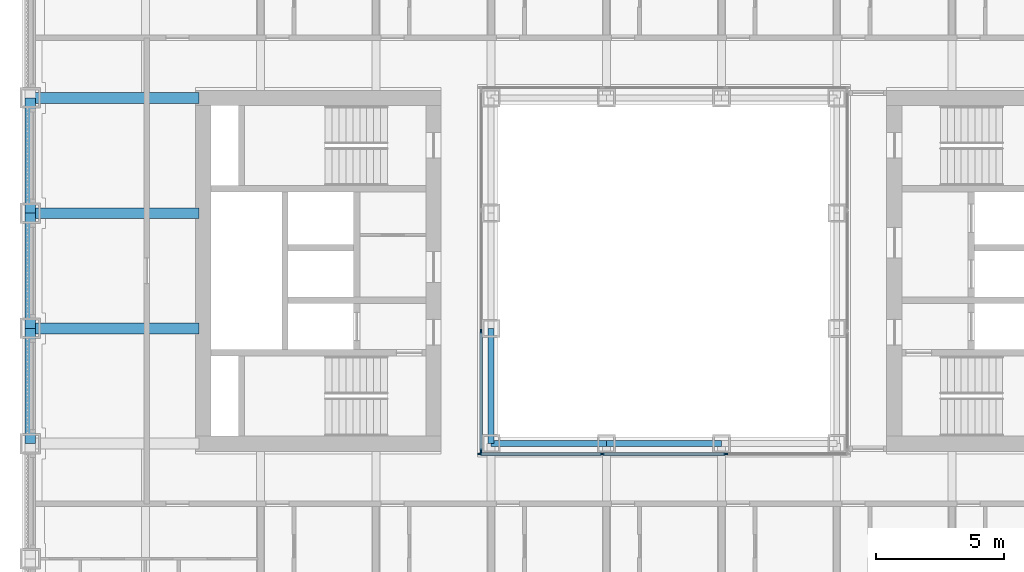
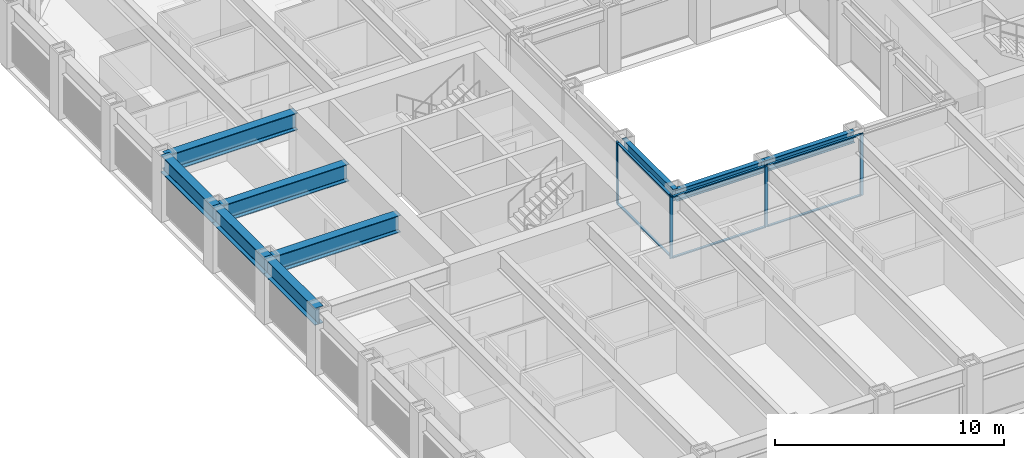
# One storey, part 3 of 21: 11 members, 9 beams, 2 elements without a shape of their own.
"""IFC4 building model written with IfcOpenShell, lengths in metres."""

from ifc_helpers import new_model, si_unit, direction, frame, origin, origin_2d, place, context, subcontext, project, spatial, rectangle, i_section, extrude, material, material_profile, profile_set, type_object, element, aggregate, save


model = new_model("IFC4")

# Units and contexts
model_context = context("Model", 3, precision=1e-05, world=origin(), true_north=direction((0.0, 1.0)))
body_context = subcontext(model_context, "Body", "Model", "MODEL_VIEW")
ifc_project = project(units=[si_unit("LENGTHUNIT", "METRE"), si_unit("AREAUNIT", "SQUARE_METRE"), si_unit("VOLUMEUNIT", "CUBIC_METRE"), si_unit("PLANEANGLEUNIT", "RADIAN"), si_unit("MASSUNIT", "GRAM", prefix="KILO")], contexts=[model_context])

# Site, building, storey
site_placement = place(None, origin())
site = spatial("IfcSite", under=ifc_project, at=site_placement, CompositionType="ELEMENT")
building_placement = place(site_placement, origin())
building = spatial("IfcBuilding", under=site, at=building_placement, Name="Msasa Ring Tower", CompositionType="ELEMENT")
storey_placement = place(building_placement, frame((0.0, 0.0, 30.0)))
storey = spatial("IfcBuildingStorey", under=building, at=storey_placement, Name="L06", CompositionType="ELEMENT", Elevation=30.0)

# Curtain wall, members
ifc_material_1 = material(Name="Aluminium curtain wall with clear glass", Category="aluminium")
curtain_wall_type = type_object("IfcCurtainWallType", Name="CW-W LIGHT WELL CURTAIN WALL", PredefinedType="NOTDEFINED", material=ifc_material_1)
curtain_wall_1_placement = place(storey_placement, origin())
curtain_wall_1 = element("IfcCurtainWall", 1, at=curtain_wall_1_placement, inside=storey, type_object=curtain_wall_type, Name="Light well curtain wall S L06", PredefinedType="NOTDEFINED")
ifc_material_2 = material(Name="Aluminium mullion", Category="aluminium")
ifc_material_profile_1 = material_profile(ifc_material_2, rectangle(XDim=0.06005859375, YDim=0.159912109375, at=origin_2d()), Name="AL 60x160")
ifc_profile_set_1 = profile_set([ifc_material_profile_1], Name="Aluminium mullion")
member_type_1 = type_object("IfcMemberType", Name="CW-W MULLION 60x160", PredefinedType="MULLION", material=ifc_profile_set_1)
member_1_placement = place(storey_placement, frame((-7.199951171875, -7.14990234375, 0.0), z_axis=(0.0, 0.0, 1.0), x_axis=(0.0, 1.0, 0.0)))
member_1 = element("IfcMember", 2, at=member_1_placement, type_object=member_type_1, Name="CW-W mullion 1", PredefinedType="MULLION", context=body_context, shape_type="SweptSolid", body=[
    extrude(rectangle(XDim=0.06005859375, YDim=0.159912109375, at=origin_2d()), origin(), (0.0, 0.0, 1.0), 3.300048828125),
])
member_2_placement = place(storey_placement, frame((-2.409912109375, -7.14990234375, 0.0), z_axis=(0.0, 0.0, 1.0), x_axis=(0.0, 1.0, 0.0)))
member_2 = element("IfcMember", 3, at=member_2_placement, type_object=member_type_1, Name="CW-W mullion 2", PredefinedType="MULLION", context=body_context, shape_type="SweptSolid", body=[
    extrude(rectangle(XDim=0.06005859375, YDim=0.159912109375, at=origin_2d()), origin(), (0.0, 0.0, 1.0), 3.300048828125),
])
member_3_placement = place(storey_placement, frame((2.409912109375, -7.14990234375, 0.0), z_axis=(0.0, 0.0, 1.0), x_axis=(0.0, 1.0, 0.0)))
member_3 = element("IfcMember", 4, at=member_3_placement, type_object=member_type_1, Name="CW-W mullion 3", PredefinedType="MULLION", context=body_context, shape_type="SweptSolid", body=[
    extrude(rectangle(XDim=0.06005859375, YDim=0.159912109375, at=origin_2d()), origin(), (0.0, 0.0, 1.0), 3.300048828125),
])

curtain_wall_2_placement = place(storey_placement, origin())
curtain_wall_2 = element("IfcCurtainWall", 5, at=curtain_wall_2_placement, inside=storey, type_object=curtain_wall_type, Name="Light well curtain wall W L06", PredefinedType="NOTDEFINED")
member_4_placement = place(storey_placement, frame((-7.14990234375, -7.0400390625, 0.0), z_axis=(0.0, 0.0, 1.0), x_axis=(-1.0, 0.0, 0.0)))
member_4 = element("IfcMember", 6, at=member_4_placement, type_object=member_type_1, Name="CW-W mullion 1", PredefinedType="MULLION", context=body_context, shape_type="SweptSolid", body=[
    extrude(rectangle(XDim=0.06005859375, YDim=0.159912109375, at=origin_2d()), origin(), (0.0, 0.0, 1.0), 3.300048828125),
])
member_5_placement = place(storey_placement, frame((-7.14990234375, -2.356689453125, 0.0), z_axis=(0.0, 0.0, 1.0), x_axis=(-1.0, 0.0, 0.0)))
member_5 = element("IfcMember", 7, at=member_5_placement, type_object=member_type_1, Name="CW-W mullion 2", PredefinedType="MULLION", context=body_context, shape_type="SweptSolid", body=[
    extrude(rectangle(XDim=0.06005859375, YDim=0.159912109375, at=origin_2d()), origin(), (0.0, 0.0, 1.0), 3.300048828125),
])

# Member
ifc_material_3 = material(Name="Aluminium transom", Category="aluminium")
ifc_material_profile_2 = material_profile(ifc_material_3, rectangle(XDim=0.1201171875, YDim=0.06005859375, at=origin_2d()), Name="AL 60x120")
ifc_profile_set_2 = profile_set([ifc_material_profile_2], Name="Aluminium transom")
member_type_2 = type_object("IfcMemberType", Name="CW-W TRANSOM 60x120", PredefinedType="USERDEFINED", material=ifc_profile_set_2)
member_6_placement = place(storey_placement, frame((-7.169921875, -7.14990234375, 0.030029296875), z_axis=(1.0, 0.0, 0.0), x_axis=(0.0, 1.0, 0.0)))
member_6 = element("IfcMember", 8, at=member_6_placement, type_object=member_type_2, Name="CW-W transom 1.1", ObjectType="TRANSOM", PredefinedType="USERDEFINED", context=body_context, shape_type="SweptSolid", body=[
    extrude(rectangle(XDim=0.1201171875, YDim=0.06005859375, at=origin_2d()), origin(), (0.0, 0.0, 1.0), 4.72998046875),
])

member_7_placement = place(storey_placement, frame((-7.169921875, -7.14990234375, 3.27001953125), z_axis=(1.0, 0.0, 0.0), x_axis=(0.0, 1.0, 0.0)))
member_7 = element("IfcMember", 9, at=member_7_placement, type_object=member_type_2, Name="CW-W transom 1.2", ObjectType="TRANSOM", PredefinedType="USERDEFINED", context=body_context, shape_type="SweptSolid", body=[
    extrude(rectangle(XDim=0.1201171875, YDim=0.06005859375, at=origin_2d()), origin(), (0.0, 0.0, 1.0), 4.72998046875),
])

member_8_placement = place(storey_placement, frame((-2.3798828125, -7.14990234375, 0.030029296875), z_axis=(1.0, 0.0, 0.0), x_axis=(0.0, 1.0, 0.0)))
member_8 = element("IfcMember", 10, at=member_8_placement, type_object=member_type_2, Name="CW-W transom 2.1", ObjectType="TRANSOM", PredefinedType="USERDEFINED", context=body_context, shape_type="SweptSolid", body=[
    extrude(rectangle(XDim=0.1201171875, YDim=0.06005859375, at=origin_2d()), origin(), (0.0, 0.0, 1.0), 4.759765625),
])

member_9_placement = place(storey_placement, frame((-2.3798828125, -7.14990234375, 3.27001953125), z_axis=(1.0, 0.0, 0.0), x_axis=(0.0, 1.0, 0.0)))
member_9 = element("IfcMember", 11, at=member_9_placement, type_object=member_type_2, Name="CW-W transom 2.2", ObjectType="TRANSOM", PredefinedType="USERDEFINED", context=body_context, shape_type="SweptSolid", body=[
    extrude(rectangle(XDim=0.1201171875, YDim=0.06005859375, at=origin_2d()), origin(), (0.0, 0.0, 1.0), 4.759765625),
])

aggregate(curtain_wall_1, [member_1, member_2, member_3, member_6, member_7, member_8, member_9])

member_10_placement = place(storey_placement, frame((-7.14990234375, -7.010009765625, 0.030029296875), z_axis=(0.0, 1.0, 0.0), x_axis=(-1.0, 0.0, 0.0)))
member_10 = element("IfcMember", 12, at=member_10_placement, type_object=member_type_2, Name="CW-W transom 1.1", ObjectType="TRANSOM", PredefinedType="USERDEFINED", context=body_context, shape_type="SweptSolid", body=[
    extrude(rectangle(XDim=0.1201171875, YDim=0.06005859375, at=origin_2d()), origin(), (0.0, 0.0, 1.0), 4.623291015625),
])

member_11_placement = place(storey_placement, frame((-7.14990234375, -7.010009765625, 3.27001953125), z_axis=(0.0, 1.0, 0.0), x_axis=(-1.0, 0.0, 0.0)))
member_11 = element("IfcMember", 13, at=member_11_placement, type_object=member_type_2, Name="CW-W transom 1.2", ObjectType="TRANSOM", PredefinedType="USERDEFINED", context=body_context, shape_type="SweptSolid", body=[
    extrude(rectangle(XDim=0.1201171875, YDim=0.06005859375, at=origin_2d()), origin(), (0.0, 0.0, 1.0), 4.623291015625),
])

aggregate(curtain_wall_2, [member_4, member_5, member_10, member_11])

# Beams
ifc_material_4 = material(Name="Steel S355", Category="steel")
ifc_material_profile_3 = material_profile(ifc_material_4, i_section(OverallWidth=0.42041015625, OverallDepth=0.9208984375, WebThickness=0.021484375, FlangeThickness=0.03662109375, FilletRadius=0.024169921875, at=origin_2d()), Name="UB 914x419x388")
ifc_profile_set_3 = profile_set([ifc_material_profile_3], Name="Steel S355")
beam_type_1 = type_object("IfcBeamType", Name="FB2 UB 914x419x388", PredefinedType="BEAM", material=ifc_profile_set_3)
for number, where, z_axis, x_axis, name in (
    (14, (-24.75, -2.25, 2.839599609375), (1.0, 0.0, 0.0), (0.0, 1.0, 0.0), "Floor beam W -2.25 under L07"),
    (15, (-24.75, 2.25, 2.839599609375), (1.0, 0.0, 0.0), (0.0, 1.0, 0.0), "Floor beam W +2.25 under L07"),
):
    element("IfcBeam", number, at=place(storey_placement, frame(where, z_axis=z_axis, x_axis=x_axis)), inside=storey, type_object=beam_type_1, Name=name, PredefinedType="BEAM", context=body_context, shape_type="SweptSolid", body=[
        extrude(i_section(OverallWidth=0.42041015625, OverallDepth=0.9208984375, WebThickness=0.021484375, FlangeThickness=0.03662109375, FilletRadius=0.024169921875, at=origin_2d()), origin(), (0.0, 0.0, 1.0), 6.60009765625),
    ])
ifc_material_5 = material(Name="Steel S355", Category="steel")
ifc_material_profile_4 = material_profile(ifc_material_5, i_section(OverallWidth=0.42041015625, OverallDepth=0.9208984375, WebThickness=0.021484375, FlangeThickness=0.03662109375, FilletRadius=0.024169921875, at=origin_2d()), Name="UB 914x419x388")
ifc_profile_set_4 = profile_set([ifc_material_profile_4], Name="Steel S355")
beam_type_2 = type_object("IfcBeamType", Name="GB1 UB 914x419x388", PredefinedType="BEAM", material=ifc_profile_set_4)
beam_placement = place(storey_placement, frame((-18.14990234375, 6.75, 2.839599609375), z_axis=(-1.0, 0.0, 0.0), x_axis=(0.0, -1.0, 0.0)))
element("IfcBeam", 16, at=beam_placement, inside=storey, type_object=beam_type_2, Name="Girder W +6.75 under L07", PredefinedType="BEAM", context=body_context, shape_type="SweptSolid", body=[
    extrude(i_section(OverallWidth=0.42041015625, OverallDepth=0.9208984375, WebThickness=0.021484375, FlangeThickness=0.03662109375, FilletRadius=0.024169921875, at=origin_2d()), origin(), (0.0, 0.0, 1.0), 6.60009765625),
])
ifc_material_6 = material(Name="Steel S355", Category="steel")
ifc_material_profile_5 = material_profile(ifc_material_6, i_section(OverallWidth=0.230224609375, OverallDepth=0.6171875, WebThickness=0.01318359375, FlangeThickness=0.022216796875, FilletRadius=0.0126953125, at=origin_2d()), Name="UB 610x229x140")
ifc_profile_set_5 = profile_set([ifc_material_profile_5], Name="Steel S355")
beam_type_3 = type_object("IfcBeamType", Name="RB1 UB 610x229x140", PredefinedType="BEAM", material=ifc_profile_set_5)
for number, where, z_axis, x_axis, name in (
    (17, (-6.75, -2.25, 2.991455078125), (0.0, -1.0, 0.0), (1.0, 0.0, 0.0), "Inner ring beam IR-6.75-2.25 under L07"),
    (18, (-6.75, -6.75, 2.991455078125), (1.0, 0.0, 0.0), (0.0, 1.0, 0.0), "Inner ring beam IR-6.75-6.75 under L07"),
    (19, (-2.25, -6.75, 2.991455078125), (1.0, 0.0, 0.0), (0.0, 1.0, 0.0), "Inner ring beam IR-2.25-6.75 under L07"),
):
    element("IfcBeam", number, at=place(storey_placement, frame(where, z_axis=z_axis, x_axis=x_axis)), inside=storey, type_object=beam_type_3, Name=name, PredefinedType="BEAM", context=body_context, shape_type="SweptSolid", body=[
        extrude(i_section(OverallWidth=0.230224609375, OverallDepth=0.6171875, WebThickness=0.01318359375, FlangeThickness=0.022216796875, FilletRadius=0.0126953125, at=origin_2d()), origin(), (0.0, 0.0, 1.0), 4.5),
    ])
ifc_material_7 = material(Name="Steel S355", Category="steel")
ifc_material_profile_6 = material_profile(ifc_material_7, i_section(OverallWidth=0.42041015625, OverallDepth=0.9208984375, WebThickness=0.021484375, FlangeThickness=0.03662109375, FilletRadius=0.024169921875, at=origin_2d()), Name="UB 914x419x388")
ifc_profile_set_6 = profile_set([ifc_material_profile_6], Name="Steel S355")
beam_type_4 = type_object("IfcBeamType", Name="SB1 UB 914x419x388", PredefinedType="SPANDREL", material=ifc_profile_set_6)
for number, where, z_axis, x_axis, name in (
    (20, (-24.75, -2.25, 2.839599609375), (0.0, -1.0, 0.0), (1.0, 0.0, 0.0), "Spandrel W-2.25 to W-6.75 under L07"),
    (21, (-24.75, 6.75, 2.839599609375), (0.0, -1.0, 0.0), (1.0, 0.0, 0.0), "Spandrel W+6.75 to W+2.25 under L07"),
    (22, (-24.75, 2.25, 2.839599609375), (0.0, -1.0, 0.0), (1.0, 0.0, 0.0), "Spandrel W+2.25 to W-2.25 under L07"),
):
    element("IfcBeam", number, at=place(storey_placement, frame(where, z_axis=z_axis, x_axis=x_axis)), inside=storey, type_object=beam_type_4, Name=name, PredefinedType="SPANDREL", context=body_context, shape_type="SweptSolid", body=[
        extrude(i_section(OverallWidth=0.42041015625, OverallDepth=0.9208984375, WebThickness=0.021484375, FlangeThickness=0.03662109375, FilletRadius=0.024169921875, at=origin_2d()), origin(), (0.0, 0.0, 1.0), 4.5),
    ])

save(model, "model.ifc")
